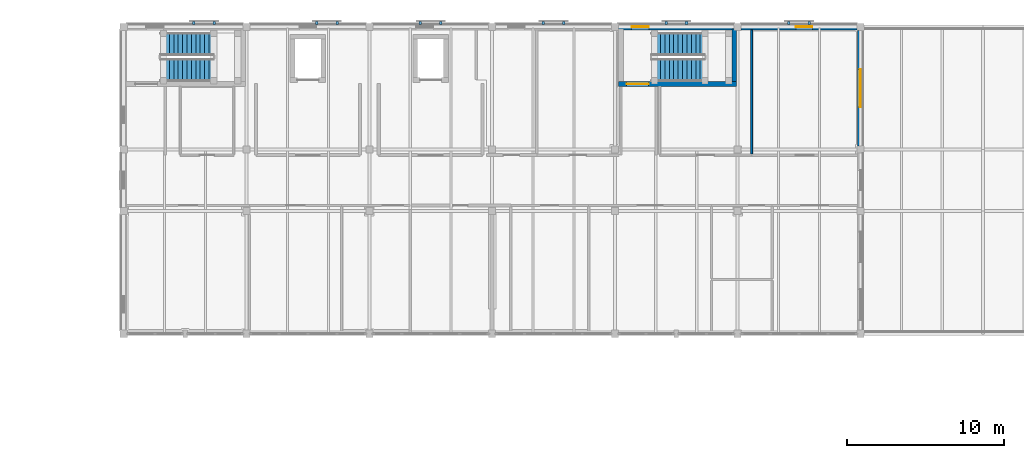
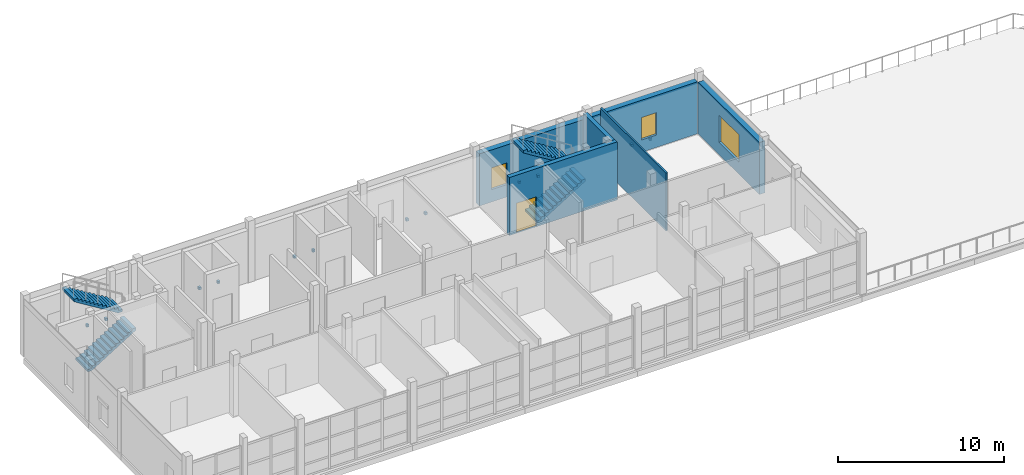
# One storey, part 39 of 45: 12 discrete accessories, 6 walls, 4 stair flights, 3 windows, 1 door, 4 openings, 2 elements without a shape of their own.
"""IFC4 building model written with IfcOpenShell, lengths in metres."""

import ifcopenshell
import ifcopenshell.guid

model = None  # the IFC model being written
_history = None  # IfcOwnerHistory: only IFC2X3 demands one
_inside = {}  # id of a spatial element -> (the spatial element, [elements in it])
_under = {}  # id of a project, library or spatial element -> (it, [spatial elements below it])
_declared = {}  # id of a project -> (the project, [libraries it declares])
_typed = {}  # id of a type object -> (the type object, [elements of that type])
_made_of = {}  # id of a material, layer set ... -> (it, [elements and type objects made of it])


def new_model(schema):
    """Start an empty IFC model of exactly this schema.

    Asked for "IFC4X3", IfcOpenShell would pick the latest addendum, in which some entities
    have other attributes; the version numbers below select the first issue.
    IFC2X3 requires an IfcOwnerHistory on every rooted entity: one is made here for all.
    """
    global model, _history
    if schema == "IFC4X3":
        model = ifcopenshell.file(schema_version=(4, 3, 0, 0))
    else:
        model = ifcopenshell.file(schema=schema)
    _inside.clear()
    _under.clear()
    _declared.clear()
    _typed.clear()
    _made_of.clear()
    _history = None
    if model.schema == "IFC2X3":
        org = make("IfcOrganization", Name="unknown")
        user = make(
            "IfcPersonAndOrganization",
            ThePerson=make("IfcPerson", FamilyName="unknown"),
            TheOrganization=org,
        )
        app = make(
            "IfcApplication",
            ApplicationDeveloper=org,
            Version="unknown",
            ApplicationFullName="unknown",
            ApplicationIdentifier="unknown",
        )
        _history = make(
            "IfcOwnerHistory",
            OwningUser=user,
            OwningApplication=app,
            ChangeAction="ADDED",
            CreationDate=0,
        )
    return model


def make(cls, **values):
    """One entity of the class cls with the attributes given. An attribute that is None is left unset."""
    return model.create_entity(
        cls, **{name: value for name, value in values.items() if value is not None}
    )


def rooted(cls, **values):
    """An entity with a GlobalId (a new one), such as an element, a storey or a relation."""
    return make(cls, GlobalId=ifcopenshell.guid.new(), OwnerHistory=_history, **values)


def si_unit(unit_type, name, prefix=None):
    """IfcSIUnit, for example si_unit("LENGTHUNIT", "METRE", prefix="MILLI")."""
    return make("IfcSIUnit", UnitType=unit_type, Prefix=prefix, Name=name)


def assignment(units):
    """IfcUnitAssignment: the units of a project."""
    return None if units is None else make("IfcUnitAssignment", Units=units)


def point(xyz):
    """IfcCartesianPoint."""
    return None if xyz is None else make("IfcCartesianPoint", Coordinates=xyz)


def direction(xyz):
    """IfcDirection."""
    return None if xyz is None else make("IfcDirection", DirectionRatios=xyz)


def frame(location, z_axis=None, x_axis=None):
    """IfcAxis2Placement3D, a coordinate frame: its origin and axes. An axis left out is left unset."""
    return make(
        "IfcAxis2Placement3D",
        Location=point(location),
        Axis=direction(z_axis),
        RefDirection=direction(x_axis),
    )


def frame_2d(location, x_axis=None):
    """IfcAxis2Placement2D, a coordinate frame in the plane: its origin and x axis."""
    return make(
        "IfcAxis2Placement2D", Location=point(location), RefDirection=direction(x_axis)
    )


def origin():
    """The frame at (0, 0, 0) with its axes left unset."""
    return frame((0.0, 0.0, 0.0))


def origin_2d():
    """The frame at (0, 0) in the plane with its x axis left unset."""
    return frame_2d((0.0, 0.0))


def place(relative_to, where):
    """IfcLocalPlacement: puts the frame where relative to a parent placement (None: the world)."""
    return make(
        "IfcLocalPlacement", PlacementRelTo=relative_to, RelativePlacement=where
    )


def context(
    kind, dimensions, precision=None, world=None, true_north=None, identifier=None
):
    """IfcGeometricRepresentationContext, for example the 3D "Model" context."""
    return make(
        "IfcGeometricRepresentationContext",
        ContextIdentifier=identifier,
        ContextType=kind,
        CoordinateSpaceDimension=dimensions,
        Precision=precision,
        WorldCoordinateSystem=world,
        TrueNorth=true_north,
    )


def subcontext(parent, identifier, kind, view, scale=None):
    """IfcGeometricRepresentationSubContext, for example "Body" below "Model"."""
    return make(
        "IfcGeometricRepresentationSubContext",
        ContextIdentifier=identifier,
        ContextType=kind,
        ParentContext=parent,
        TargetScale=scale,
        TargetView=view,
    )


def project(units=None, contexts=None):
    """IfcProject with its units and contexts."""
    return rooted(
        "IfcProject",
        Name="project",
        RepresentationContexts=contexts,
        UnitsInContext=assignment(units),
    )


def spatial(cls, under=None, at=None, **own):
    """A site, building, storey or space (cls), placed at a placement, below another one or the project."""
    s = rooted(cls, ObjectPlacement=at, **own)
    if under is not None:
        _under.setdefault(under.id(), (under, []))[1].append(s)
    return s


def polyline(points):
    """IfcPolyline through the points."""
    return make("IfcPolyline", Points=[point(p) for p in points])


def profile(cls, at=None, kind="AREA", **sizes):
    """A parametric profile (cls). Its sizes go by their IFC names, for example OverallWidth=200.0."""
    return make(cls, ProfileType=kind, Position=at, **sizes)


def rectangle(**sizes):
    """IfcRectangleProfileDef."""
    return profile("IfcRectangleProfileDef", **sizes)


def outline(outer, holes=None, kind="AREA"):
    """IfcArbitraryClosedProfileDef: a profile drawn as a closed curve; with holes, ...WithVoids."""
    if holes is None:
        return make("IfcArbitraryClosedProfileDef", ProfileType=kind, OuterCurve=outer)
    return make(
        "IfcArbitraryProfileDefWithVoids",
        ProfileType=kind,
        OuterCurve=outer,
        InnerCurves=holes,
    )


def extrude(swept, where, along, depth):
    """IfcExtrudedAreaSolid: the profile swept, set in the frame where, extruded along a direction by depth."""
    return make(
        "IfcExtrudedAreaSolid",
        SweptArea=swept,
        Position=where,
        ExtrudedDirection=direction(along),
        Depth=depth,
    )


def shape(context_of_items, identifier, shape_type, items):
    """IfcShapeRepresentation: the items that make up one representation, for example the "Body"."""
    return make(
        "IfcShapeRepresentation",
        ContextOfItems=context_of_items,
        RepresentationIdentifier=identifier,
        RepresentationType=shape_type,
        Items=items,
    )


def material(Name=None, Category=None):
    """IfcMaterial."""
    return make("IfcMaterial", Name=Name, Category=Category)


def layer(
    of_material, thickness, ventilated=None, Name=None, Category=None, Priority=None
):
    """IfcMaterialLayer: one layer of a wall or slab, of a material (None: an air gap)."""
    return make(
        "IfcMaterialLayer",
        Material=of_material,
        LayerThickness=thickness,
        IsVentilated=ventilated,
        Name=Name,
        Category=Category,
        Priority=Priority,
    )


def layer_set(layers, Name=None):
    """IfcMaterialLayerSet."""
    return make("IfcMaterialLayerSet", MaterialLayers=layers, LayerSetName=Name)


def made_of(thing, what):
    """Note that an element or type object is made of a material, layer set ...; save() writes the relation."""
    if what is not None:
        _made_of.setdefault(what.id(), (what, []))[1].append(thing)
    return thing


def type_object(cls, material=None, **own):
    """A type object (cls), such as IfcWallType, which elements share."""
    return made_of(rooted(cls, **own), material)


def element(
    cls,
    number,
    at=None,
    inside=None,
    cuts=None,
    type_object=None,
    material=None,
    context=None,
    identifier="Body",
    shape_type=None,
    held_by="IfcProductDefinitionShape",
    body=None,
    shapes=None,
    **own,
):
    """One element of the class cls, such as IfcWall. Its Tag is "e" and its number.

    at: its placement. inside: the storey or other place that contains it. cuts: it is an
    opening in that element (IfcRelVoidsElement). A single representation is given by context,
    identifier, shape_type and body (its items); several are given by shapes. held_by: the class
    of the entity that holds the representations. save() writes the other relations.
    """
    e = rooted(cls, Tag="e%d" % number, ObjectPlacement=at, **own)
    if body is not None:
        shapes = [shape(context, identifier, shape_type, body)]
    if shapes is not None:
        e.Representation = make(held_by, Representations=shapes)
    if inside is not None:
        _inside.setdefault(inside.id(), (inside, []))[1].append(e)
    if cuts is not None:
        rooted(
            "IfcRelVoidsElement", RelatingBuildingElement=cuts, RelatedOpeningElement=e
        )
    if type_object is not None:
        _typed.setdefault(type_object.id(), (type_object, []))[1].append(e)
    return made_of(e, material)


def fill(opening, filler):
    """IfcRelFillsElement: the door or window that sits in an opening."""
    return rooted(
        "IfcRelFillsElement",
        RelatingOpeningElement=opening,
        RelatedBuildingElement=filler,
    )


def aggregate(whole, parts):
    """IfcRelAggregates: a whole, such as a stair, and the parts it consists of."""
    return rooted("IfcRelAggregates", RelatingObject=whole, RelatedObjects=parts)


def save(model, path):
    """Write the relations noted so far, then the file.

    IfcRelAggregates (storeys below a building ...), IfcRelContainedInSpatialStructure (elements
    in a storey), IfcRelDefinesByType, IfcRelAssociatesMaterial and IfcRelDeclares: one each for
    every whole, place, type object, material and project.
    """
    for whole, parts in _under.values():
        aggregate(whole, parts)
    for where, things in _inside.values():
        rooted(
            "IfcRelContainedInSpatialStructure",
            RelatedElements=things,
            RelatingStructure=where,
        )
    for kind, things in _typed.values():
        rooted("IfcRelDefinesByType", RelatedObjects=things, RelatingType=kind)
    for what, things in _made_of.values():
        rooted("IfcRelAssociatesMaterial", RelatedObjects=things, RelatingMaterial=what)
    for by, libraries in _declared.values():
        rooted("IfcRelDeclares", RelatingContext=by, RelatedDefinitions=libraries)
    model.write(path)


model = new_model("IFC4")

# Units and contexts
model_context = context("Model", 3, precision=1e-05, world=origin(), true_north=direction((0.0, 1.0)))
body_context = subcontext(model_context, "Body", "Model", "MODEL_VIEW")
ifc_project = project(units=[si_unit("LENGTHUNIT", "METRE"), si_unit("AREAUNIT", "SQUARE_METRE"), si_unit("VOLUMEUNIT", "CUBIC_METRE"), si_unit("PLANEANGLEUNIT", "RADIAN"), si_unit("MASSUNIT", "GRAM", prefix="KILO")], contexts=[model_context])

# Site, building, storey
site_placement = place(None, origin())
site = spatial("IfcSite", under=ifc_project, at=site_placement, CompositionType="ELEMENT")
building_placement = place(site_placement, origin())
building = spatial("IfcBuilding", under=site, at=building_placement, Name="Celorna Specialist Clinic", CompositionType="ELEMENT")
storey_placement = place(building_placement, frame((0.0, 0.0, 18.60009765625)))
storey = spatial("IfcBuildingStorey", under=building, at=storey_placement, Name="L04", CompositionType="ELEMENT", Elevation=18.60009765625)

# Wall, opening, window
ifc_material_1 = material(Name="Terracotta masonry with insulated cavity", Category="masonry")
ifc_layer_1 = layer(ifc_material_1, 0.3798828125, Name="Terracotta masonry with insulated cavity")
ifc_layer_set_1 = layer_set([ifc_layer_1], Name="Terracotta masonry with insulated cavity")
wall_type_1 = type_object("IfcWallType", Name="WT-06", PredefinedType="STANDARD", material=ifc_layer_set_1)
wall_1_placement = place(storey_placement, frame((78.22509765625, 116.0, 0.0), z_axis=(0.0, 0.0, 1.0), x_axis=(1.0, 0.0, 0.0)))
wall_1 = element("IfcWall", 1, at=wall_1_placement, inside=storey, type_object=wall_type_1, Name="External facade wall WT-06 #278", PredefinedType="STANDARD", context=body_context, shape_type="SweptSolid", body=[
    extrude(rectangle(XDim=7.349853515625, YDim=0.3798828125, at=frame_2d((3.6748046875, 0.0))), origin(), (0.0, 0.0, 1.0), 3.81982421875),
])
opening_1_placement = place(wall_1_placement, frame((0.840087890625, 0.0, 0.89990234375)))
opening_1 = element("IfcOpeningElement", 2, at=opening_1_placement, cuts=wall_1, Name="Opening WN-03", PredefinedType="OPENING", context=body_context, shape_type="SweptSolid", body=[
    extrude(rectangle(XDim=1.10009765625, YDim=1.60009765625, at=frame_2d((0.550048828125, 0.800048828125))), frame((0.0, 0.199951171875, 0.0), z_axis=(0.0, -1.0, 0.0), x_axis=(1.0, 0.0, 0.0)), (0.0, 0.0, 1.0), 0.39990234375),
])
ifc_material_2 = material(Name="Thermally broken aluminium triple-glazed window", Category="aluminium")
window_type_1 = type_object("IfcWindowType", Name="WN-03", PartitioningType="SINGLE_PANEL", PredefinedType="WINDOW", material=ifc_material_2)
window_1_placement = place(opening_1_placement, origin())
window_1 = element("IfcWindow", 3, at=window_1_placement, inside=storey, type_object=window_type_1, Name="Facade window WN-03 #157", OverallHeight=1.60009765625, OverallWidth=1.10009765625, PartitioningType="SINGLE_PANEL", PredefinedType="WINDOW", context=body_context, shape_type="SweptSolid", body=[
    extrude(rectangle(XDim=1.10009765625, YDim=1.60009765625, at=frame_2d((0.550048828125, 0.800048828125))), frame((0.0, 0.030029296875, 0.0), z_axis=(0.0, -1.0, 0.0), x_axis=(1.0, 0.0, 0.0)), (0.0, 0.0, 1.0), 0.06005859375),
])
fill(opening_1, window_1)

wall_2_placement = place(storey_placement, frame((86.02490234375, 116.0, 0.0), z_axis=(0.0, 0.0, 1.0), x_axis=(1.0, 0.0, 0.0)))
wall_2 = element("IfcWall", 4, at=wall_2_placement, inside=storey, type_object=wall_type_1, Name="External facade wall WT-06 #279", PredefinedType="STANDARD", context=body_context, shape_type="SweptSolid", body=[
    extrude(rectangle(XDim=7.35009765625, YDim=0.3798828125, at=frame_2d((3.675048828125, 0.0))), origin(), (0.0, 0.0, 1.0), 3.81982421875),
])
opening_2_placement = place(wall_2_placement, frame((3.472412109375, 0.0, 0.89990234375)))
opening_2 = element("IfcOpeningElement", 5, at=opening_2_placement, cuts=wall_2, Name="Opening WN-21", PredefinedType="OPENING", context=body_context, shape_type="SweptSolid", body=[
    extrude(rectangle(XDim=1.050048828125, YDim=1.64990234375, at=frame_2d((0.52490234375, 0.824951171875))), frame((0.0, 0.199951171875, 0.0), z_axis=(0.0, -1.0, 0.0), x_axis=(1.0, 0.0, 0.0)), (0.0, 0.0, 1.0), 0.39990234375),
])
window_type_2 = type_object("IfcWindowType", Name="WN-21", PartitioningType="SINGLE_PANEL", PredefinedType="WINDOW", material=ifc_material_2)
window_2_placement = place(opening_2_placement, origin())
window_2 = element("IfcWindow", 6, at=window_2_placement, inside=storey, type_object=window_type_2, Name="Facade window WN-21 #158", OverallHeight=1.64990234375, OverallWidth=1.050048828125, PartitioningType="SINGLE_PANEL", PredefinedType="WINDOW", context=body_context, shape_type="SweptSolid", body=[
    extrude(rectangle(XDim=1.050048828125, YDim=1.64990234375, at=frame_2d((0.52490234375, 0.824951171875))), frame((0.0, 0.030029296875, 0.0), z_axis=(0.0, -1.0, 0.0), x_axis=(1.0, 0.0, 0.0)), (0.0, 0.0, 1.0), 0.06005859375),
])
fill(opening_2, window_2)

wall_3_placement = place(storey_placement, frame((93.60009765625, 115.77490234375, 0.0), z_axis=(0.0, 0.0, 1.0), x_axis=(0.0, -1.0, 0.0)))
wall_3 = element("IfcWall", 7, at=wall_3_placement, inside=storey, type_object=wall_type_1, Name="External facade wall WT-06 #285", PredefinedType="STANDARD", context=body_context, shape_type="SweptSolid", body=[
    extrude(rectangle(XDim=7.349853515625, YDim=0.3798828125, at=frame_2d((3.6748046875, 0.0))), origin(), (0.0, 0.0, 1.0), 3.81982421875),
])
opening_3_placement = place(wall_3_placement, frame((2.47509765625, 0.0, 0.89990234375)))
opening_3 = element("IfcOpeningElement", 8, at=opening_3_placement, cuts=wall_3, Name="Opening WN-19", PredefinedType="OPENING", context=body_context, shape_type="SweptSolid", body=[
    extrude(rectangle(XDim=2.39990234375, YDim=2.0, at=frame_2d((1.199951171875, 1.0))), frame((0.0, 0.199951171875, 0.0), z_axis=(0.0, -1.0, 0.0), x_axis=(1.0, 0.0, 0.0)), (0.0, 0.0, 1.0), 0.39990234375),
])
ifc_material_3 = material(Name="Rehabilitation gym daylight window")
window_type_3 = type_object("IfcWindowType", Name="WN-19", PartitioningType="SINGLE_PANEL", PredefinedType="WINDOW", material=ifc_material_3)
window_3_placement = place(opening_3_placement, origin())
window_3 = element("IfcWindow", 9, at=window_3_placement, inside=storey, type_object=window_type_3, Name="Facade window WN-19 #164", OverallHeight=2.0, OverallWidth=2.39990234375, PartitioningType="SINGLE_PANEL", PredefinedType="WINDOW", context=body_context, shape_type="SweptSolid", body=[
    extrude(rectangle(XDim=2.39990234375, YDim=2.0, at=frame_2d((1.199951171875, 1.0))), frame((0.0, 0.030029296875, 0.0), z_axis=(0.0, -1.0, 0.0), x_axis=(1.0, 0.0, 0.0)), (0.0, 0.0, 1.0), 0.06005859375),
])
fill(opening_3, window_3)

# Wall, opening, door
ifc_material_4 = material(Name="Concrete C35/45", Category="concrete")
ifc_layer_2 = layer(ifc_material_4, 0.300048828125, Name="Concrete C35/45")
ifc_layer_set_2 = layer_set([ifc_layer_2], Name="Concrete C35/45")
wall_type_2 = type_object("IfcWallType", Name="WT-08", PredefinedType="SHEAR", material=ifc_layer_set_2)
wall_4_placement = place(storey_placement, frame((78.239990234375, 112.3701171875, 0.0), z_axis=(0.0, 0.0, 1.0), x_axis=(1.0, 0.0, 0.0)))
wall_4 = element("IfcWall", 10, at=wall_4_placement, inside=storey, type_object=wall_type_2, Name="Stair ST-02 RC core wall L04 south", PredefinedType="SHEAR", context=body_context, shape_type="SweptSolid", body=[
    extrude(rectangle(XDim=7.5, YDim=0.300048828125, at=frame_2d((3.75, 0.0))), origin(), (0.0, 0.0, 1.0), 4.260009765625),
])
opening_4_placement = place(wall_4_placement, frame((0.5, 0.0, 0.0)))
opening_4 = element("IfcOpeningElement", 11, at=opening_4_placement, cuts=wall_4, Name="Opening DR-10", PredefinedType="OPENING", context=body_context, shape_type="SweptSolid", body=[
    extrude(rectangle(XDim=1.39990234375, YDim=2.199951171875, at=frame_2d((0.699951171875, 1.10009765625))), frame((0.0, 0.159912109375, 0.0), z_axis=(0.0, -1.0, 0.0), x_axis=(1.0, 0.0, 0.0)), (0.0, 0.0, 1.0), 0.320068359375),
])
ifc_material_5 = material(Name="Protected exit stair fire door")
door_type = type_object("IfcDoorType", Name="DR-10", OperationType="NOTDEFINED", PredefinedType="DOOR", material=ifc_material_5)
door_placement = place(opening_4_placement, origin())
door = element("IfcDoor", 12, at=door_placement, inside=storey, type_object=door_type, Name="Protected exit stair door ST-02 L04", OperationType="SINGLE_SWING_RIGHT", OverallHeight=2.199951171875, OverallWidth=1.39990234375, PredefinedType="DOOR", context=body_context, shape_type="SweptSolid", body=[
    extrude(rectangle(XDim=1.39990234375, YDim=2.199951171875, at=frame_2d((0.699951171875, 1.10009765625))), frame((0.0, 0.02490234375, 0.0), z_axis=(0.0, -1.0, 0.0), x_axis=(1.0, 0.0, 0.0)), (0.0, 0.0, 1.0), 0.050048828125),
])
fill(opening_4, door)

# Walls
wall_5_placement = place(storey_placement, frame((85.590087890625, 112.52001953125, 0.0), z_axis=(0.0, 0.0, 1.0), x_axis=(0.0, 1.0, 0.0)))
element("IfcWall", 13, at=wall_5_placement, inside=storey, type_object=wall_type_2, Name="Stair ST-02 RC core wall L04 east", PredefinedType="SHEAR", context=body_context, shape_type="SweptSolid", body=[
    extrude(rectangle(XDim=3.330078125, YDim=0.300048828125, at=frame_2d((1.6650390625, 0.0))), origin(), (0.0, 0.0, 1.0), 4.260009765625),
])
ifc_material_6 = material(Name="Acoustic gypsum board partition")
ifc_layer_3 = layer(ifc_material_6, 0.1201171875, Name="Acoustic gypsum board partition")
ifc_layer_set_3 = layer_set([ifc_layer_3], Name="Acoustic gypsum board partition")
wall_type_3 = type_object("IfcWallType", Name="WT-15", PredefinedType="PARTITIONING", material=ifc_layer_set_3)
wall_6_placement = place(storey_placement, frame((86.68994140625, 107.925048828125, 0.0), z_axis=(0.0, 0.0, 1.0), x_axis=(0.0, 1.0, 0.0)))
element("IfcWall", 14, at=wall_6_placement, inside=storey, type_object=wall_type_3, Name="Room dividing partition WT-15 L04-019", PredefinedType="PARTITIONING", context=body_context, shape_type="SweptSolid", body=[
    extrude(rectangle(XDim=7.885009765625, YDim=0.1201171875, at=frame_2d((3.9423828125, 0.0))), origin(), (0.0, 0.0, 1.0), 4.260009765625),
])

# Stair, stair flights
stair_type = type_object("IfcStairType", Name="ST-01", PredefinedType="HALF_TURN_STAIR", material=ifc_material_4)
stair_1_placement = place(storey_placement, origin())
stair_1 = element("IfcStair", 15, at=stair_1_placement, inside=storey, type_object=stair_type, Name="L04 Protected exit stair ST-01", PredefinedType="HALF_TURN_STAIR")
stair_flight_type = type_object("IfcStairFlightType", Name="SFL-01", PredefinedType="STRAIGHT", material=ifc_material_4)
stair_flight_1_placement = place(storey_placement, frame((49.139892578125, 113.2451171875, 0.0), z_axis=(0.0, 0.0, 1.0), x_axis=(1.0, 0.0, 0.0)))
stair_flight_1 = element("IfcStairFlight", 16, at=stair_flight_1_placement, type_object=stair_flight_type, Name="ST-01 flight 1", NumberOfRisers=13, NumberOfTreads=12, PredefinedType="STRAIGHT", RiserHeight=0.173076923, TreadLength=0.28, context=body_context, shape_type="SweptSolid", body=[
    extrude(outline(polyline([(0.0, 0.0), (0.0, 0.173095703125), (0.280029296875, 0.173095703125), (0.280029296875, 0.34619140625), (0.56005859375, 0.34619140625), (0.56005859375, 0.519287109375), (0.840087890625, 0.519287109375), (0.840087890625, 0.6923828125), (1.1201171875, 0.6923828125), (1.1201171875, 0.865478515625), (1.39990234375, 0.865478515625), (1.39990234375, 1.03857421875), (1.679931640625, 1.03857421875), (1.679931640625, 1.21142578125), (1.9599609375, 1.21142578125), (1.9599609375, 1.384521484375), (2.239990234375, 1.384521484375), (2.239990234375, 1.5576171875), (2.52001953125, 1.5576171875), (2.52001953125, 1.730712890625), (2.800048828125, 1.730712890625), (2.800048828125, 1.90380859375), (3.080078125, 1.90380859375), (3.080078125, 2.076904296875), (3.360107421875, 2.076904296875), (3.360107421875, 2.25), (3.360107421875, 1.900634765625), (0.28515625, 0.0), (0.0, 0.0)])), frame((0.0, 0.72509765625, 0.0), z_axis=(0.0, -1.0, 0.0), x_axis=(1.0, 0.0, 0.0)), (0.0, 0.0, 1.0), 1.449951171875),
])
stair_flight_2_placement = place(storey_placement, frame((52.5, 114.89501953125, 2.25), z_axis=(0.0, 0.0, 1.0), x_axis=(-1.0, 0.0, 0.0)))
stair_flight_2 = element("IfcStairFlight", 17, at=stair_flight_2_placement, type_object=stair_flight_type, Name="ST-01 flight 2", NumberOfRisers=13, NumberOfTreads=12, PredefinedType="STRAIGHT", RiserHeight=0.173076923, TreadLength=0.28, context=body_context, shape_type="SweptSolid", body=[
    extrude(outline(polyline([(0.0, 0.0), (0.0, 0.173095703125), (0.280029296875, 0.173095703125), (0.280029296875, 0.34619140625), (0.56005859375, 0.34619140625), (0.56005859375, 0.519287109375), (0.840087890625, 0.519287109375), (0.840087890625, 0.6923828125), (1.1201171875, 0.6923828125), (1.1201171875, 0.865478515625), (1.39990234375, 0.865478515625), (1.39990234375, 1.03857421875), (1.679931640625, 1.03857421875), (1.679931640625, 1.21142578125), (1.9599609375, 1.21142578125), (1.9599609375, 1.384521484375), (2.239990234375, 1.384521484375), (2.239990234375, 1.5576171875), (2.52001953125, 1.5576171875), (2.52001953125, 1.730712890625), (2.800048828125, 1.730712890625), (2.800048828125, 1.90380859375), (3.080078125, 1.90380859375), (3.080078125, 2.076904296875), (3.360107421875, 2.076904296875), (3.360107421875, 2.25), (3.360107421875, 1.900634765625), (0.28515625, 0.0), (0.0, 0.0)])), frame((0.0, 0.72509765625, 0.0), z_axis=(0.0, -1.0, 0.0), x_axis=(1.0, 0.0, 0.0)), (0.0, 0.0, 1.0), 1.449951171875),
])
aggregate(stair_1, [stair_flight_1, stair_flight_2])

stair_2_placement = place(storey_placement, origin())
stair_2 = element("IfcStair", 18, at=stair_2_placement, inside=storey, type_object=stair_type, Name="L04 Protected exit stair ST-02", PredefinedType="HALF_TURN_STAIR")
stair_flight_3_placement = place(storey_placement, frame((80.340087890625, 113.2451171875, 0.0), z_axis=(0.0, 0.0, 1.0), x_axis=(1.0, 0.0, 0.0)))
stair_flight_3 = element("IfcStairFlight", 19, at=stair_flight_3_placement, type_object=stair_flight_type, Name="ST-02 flight 1", NumberOfRisers=13, NumberOfTreads=12, PredefinedType="STRAIGHT", RiserHeight=0.173076923, TreadLength=0.28, context=body_context, shape_type="SweptSolid", body=[
    extrude(outline(polyline([(0.0, 0.0), (0.0, 0.173095703125), (0.280029296875, 0.173095703125), (0.280029296875, 0.34619140625), (0.56005859375, 0.34619140625), (0.56005859375, 0.519287109375), (0.840087890625, 0.519287109375), (0.840087890625, 0.6923828125), (1.1201171875, 0.6923828125), (1.1201171875, 0.865478515625), (1.39990234375, 0.865478515625), (1.39990234375, 1.03857421875), (1.679931640625, 1.03857421875), (1.679931640625, 1.21142578125), (1.9599609375, 1.21142578125), (1.9599609375, 1.384521484375), (2.239990234375, 1.384521484375), (2.239990234375, 1.5576171875), (2.52001953125, 1.5576171875), (2.52001953125, 1.730712890625), (2.800048828125, 1.730712890625), (2.800048828125, 1.90380859375), (3.080078125, 1.90380859375), (3.080078125, 2.076904296875), (3.360107421875, 2.076904296875), (3.360107421875, 2.25), (3.360107421875, 1.900634765625), (0.28515625, 0.0), (0.0, 0.0)])), frame((0.0, 0.72509765625, 0.0), z_axis=(0.0, -1.0, 0.0), x_axis=(1.0, 0.0, 0.0)), (0.0, 0.0, 1.0), 1.449951171875),
])
stair_flight_4_placement = place(storey_placement, frame((83.699951171875, 114.89501953125, 2.25), z_axis=(0.0, 0.0, 1.0), x_axis=(-1.0, 0.0, 0.0)))
stair_flight_4 = element("IfcStairFlight", 20, at=stair_flight_4_placement, type_object=stair_flight_type, Name="ST-02 flight 2", NumberOfRisers=13, NumberOfTreads=12, PredefinedType="STRAIGHT", RiserHeight=0.173076923, TreadLength=0.28, context=body_context, shape_type="SweptSolid", body=[
    extrude(outline(polyline([(0.0, 0.0), (0.0, 0.173095703125), (0.280029296875, 0.173095703125), (0.280029296875, 0.34619140625), (0.56005859375, 0.34619140625), (0.56005859375, 0.519287109375), (0.840087890625, 0.519287109375), (0.840087890625, 0.6923828125), (1.1201171875, 0.6923828125), (1.1201171875, 0.865478515625), (1.39990234375, 0.865478515625), (1.39990234375, 1.03857421875), (1.679931640625, 1.03857421875), (1.679931640625, 1.21142578125), (1.9599609375, 1.21142578125), (1.9599609375, 1.384521484375), (2.239990234375, 1.384521484375), (2.239990234375, 1.5576171875), (2.52001953125, 1.5576171875), (2.52001953125, 1.730712890625), (2.800048828125, 1.730712890625), (2.800048828125, 1.90380859375), (3.080078125, 1.90380859375), (3.080078125, 2.076904296875), (3.360107421875, 2.076904296875), (3.360107421875, 2.25), (3.360107421875, 1.900634765625), (0.28515625, 0.0), (0.0, 0.0)])), frame((0.0, 0.72509765625, 0.0), z_axis=(0.0, -1.0, 0.0), x_axis=(1.0, 0.0, 0.0)), (0.0, 0.0, 1.0), 1.449951171875),
])
aggregate(stair_2, [stair_flight_3, stair_flight_4])

# Discrete accessories
ifc_material_7 = material(Name="Stainless steel S355 fixing bracket", Category="steel")
discrete_accessory_type = type_object("IfcDiscreteAccessoryType", Name="BRK-01", PredefinedType="BRACKET", material=ifc_material_7)
for number, where, z_axis, x_axis, name in (
    (21, (51.25, 116.239990234375, 0.35986328125), (0.0, 0.0, 1.0), (1.0, 0.0, 0.0), "Screen support bracket #1"),
    (22, (52.550048828125, 116.239990234375, 0.35986328125), (0.0, 0.0, 1.0), (1.0, 0.0, 0.0), "Screen support bracket #1"),
    (23, (59.050048828125, 116.239990234375, 0.35986328125), (0.0, 0.0, 1.0), (1.0, 0.0, 0.0), "Screen support bracket #2"),
    (24, (60.35009765625, 116.239990234375, 0.35986328125), (0.0, 0.0, 1.0), (1.0, 0.0, 0.0), "Screen support bracket #2"),
    (25, (65.64990234375, 116.239990234375, 0.35986328125), (0.0, 0.0, 1.0), (1.0, 0.0, 0.0), "Screen support bracket #3"),
    (26, (66.949951171875, 116.239990234375, 0.35986328125), (0.0, 0.0, 1.0), (1.0, 0.0, 0.0), "Screen support bracket #3"),
    (27, (73.449951171875, 116.239990234375, 0.35986328125), (0.0, 0.0, 1.0), (1.0, 0.0, 0.0), "Screen support bracket #4"),
    (28, (74.75, 116.239990234375, 0.35986328125), (0.0, 0.0, 1.0), (1.0, 0.0, 0.0), "Screen support bracket #4"),
    (29, (81.25, 116.239990234375, 0.35986328125), (0.0, 0.0, 1.0), (1.0, 0.0, 0.0), "Screen support bracket #5"),
    (30, (82.550048828125, 116.239990234375, 0.35986328125), (0.0, 0.0, 1.0), (1.0, 0.0, 0.0), "Screen support bracket #5"),
    (31, (89.050048828125, 116.239990234375, 0.35986328125), (0.0, 0.0, 1.0), (1.0, 0.0, 0.0), "Screen support bracket #6"),
    (32, (90.35009765625, 116.239990234375, 0.35986328125), (0.0, 0.0, 1.0), (1.0, 0.0, 0.0), "Screen support bracket #6"),
):
    element("IfcDiscreteAccessory", number, at=place(storey_placement, frame(where, z_axis=z_axis, x_axis=x_axis)), inside=storey, type_object=discrete_accessory_type, Name=name, PredefinedType="BRACKET", context=body_context, shape_type="SweptSolid", body=[
        extrude(rectangle(XDim=0.159912109375, YDim=0.179931640625, at=origin_2d()), origin(), (0.0, 0.0, 1.0), 0.179931640625),
    ])

save(model, "model.ifc")
